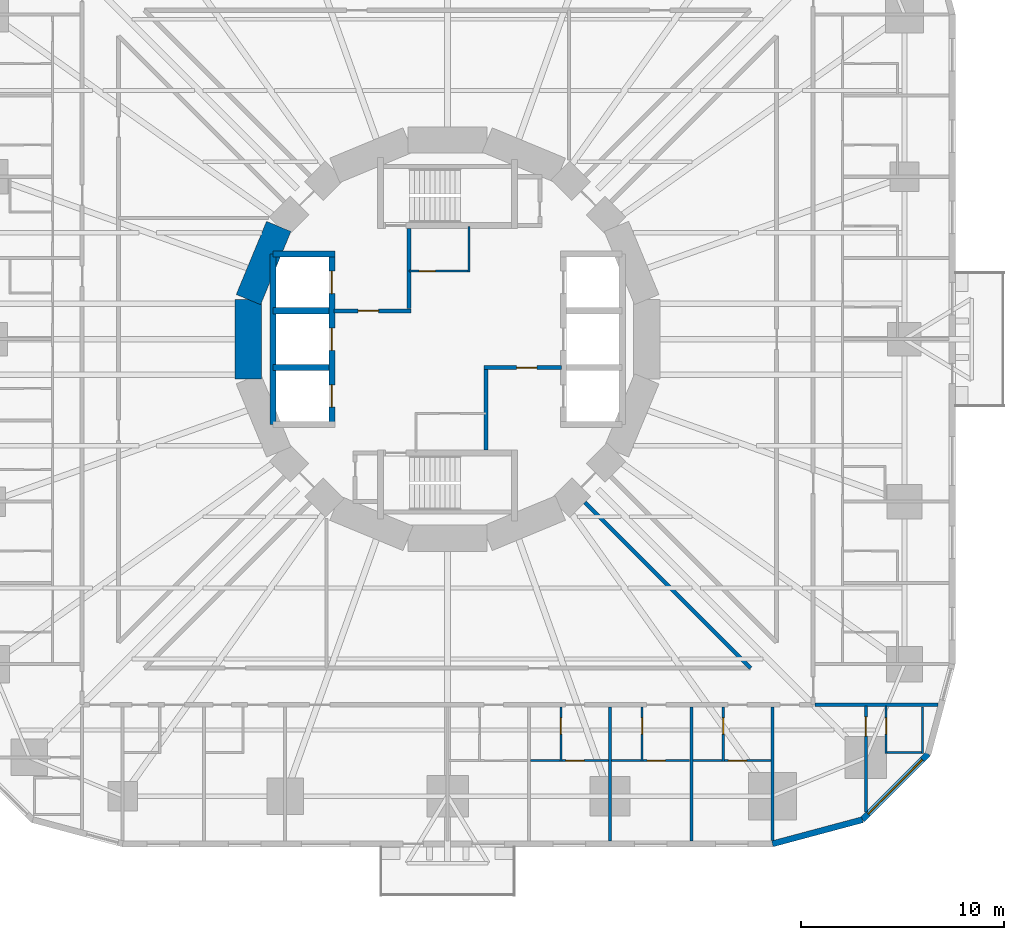
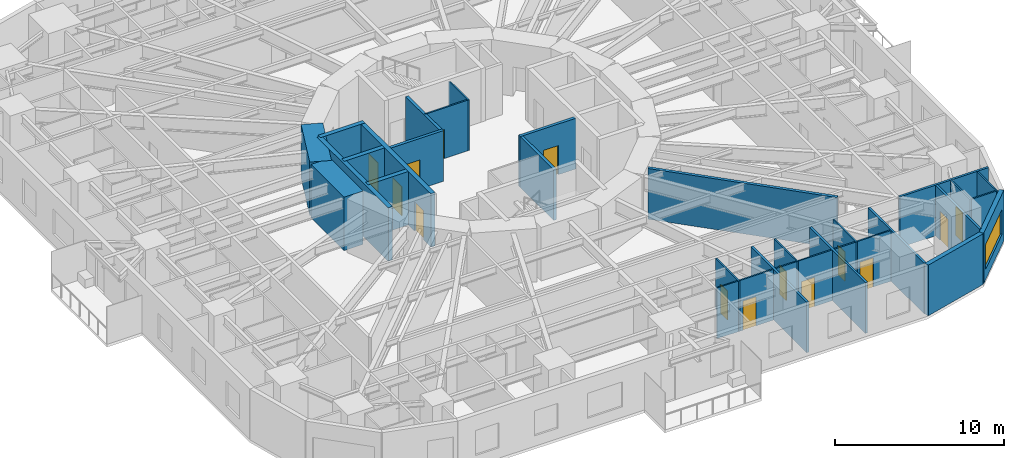
# One storey, part 7 of 14: 33 walls, 14 doors, 1 window, 15 openings.
"""IFC4 building model written with IfcOpenShell, lengths in metres."""

from ifc_helpers import new_model, si_unit, direction, frame, frame_2d, origin, place, context, subcontext, project, spatial, rectangle, extrude, material, layer, layer_set, type_object, element, fill, save


model = new_model("IFC4")

# Units and contexts
model_context = context("Model", 3, precision=1e-05, world=origin(), true_north=direction((0.0, 1.0)))
body_context = subcontext(model_context, "Body", "Model", "MODEL_VIEW")
ifc_project = project(units=[si_unit("LENGTHUNIT", "METRE"), si_unit("AREAUNIT", "SQUARE_METRE"), si_unit("VOLUMEUNIT", "CUBIC_METRE"), si_unit("PLANEANGLEUNIT", "RADIAN"), si_unit("MASSUNIT", "GRAM", prefix="KILO")], contexts=[model_context])

# Site, building, storey
site_placement = place(None, origin())
site = spatial("IfcSite", under=ifc_project, at=site_placement, CompositionType="ELEMENT")
building_placement = place(site_placement, origin())
building = spatial("IfcBuilding", under=site, at=building_placement, Name="Nakasero Lantern House", CompositionType="ELEMENT")
storey_placement = place(building_placement, frame((0.0, 0.0, 23.699951171875)))
storey = spatial("IfcBuildingStorey", under=building, at=storey_placement, Name="L05", CompositionType="ELEMENT", Elevation=23.699951171875)

# Wall, openings, doors
ifc_material_1 = material(Name="Concrete C50/60", Category="concrete")
ifc_layer_1 = layer(ifc_material_1, 0.300048828125)
ifc_layer_set_1 = layer_set([ifc_layer_1], Name="Core inner wall 300")
wall_type_1 = type_object("IfcWallType", Name="Core inner wall 300", PredefinedType="SHEAR", material=ifc_layer_set_1)
wall_1_placement = place(storey_placement, frame((-5.699951171875, -4.199951171875, 0.0), z_axis=(0.0, 0.0, 1.0), x_axis=(0.0, 1.0, 0.0)))
wall_1 = element("IfcWall", 1, at=wall_1_placement, inside=storey, type_object=wall_type_1, Name="Core inner wall L05 LW", PredefinedType="SHEAR", context=body_context, shape_type="SweptSolid", body=[
    extrude(rectangle(XDim=8.39990234375, YDim=0.300048828125, at=frame_2d((4.199951171875, 0.0))), origin(), (0.0, 0.0, 1.0), 3.85009765625),
])
opening_1_placement = place(wall_1_placement, frame((0.85009765625, 0.0, 0.0)))
opening_1 = element("IfcOpeningElement", 2, at=opening_1_placement, cuts=wall_1, Name="Opening LD", PredefinedType="OPENING", context=body_context, shape_type="SweptSolid", body=[
    extrude(rectangle(XDim=1.10009765625, YDim=2.10009765625, at=frame_2d((0.550048828125, 1.050048828125))), frame((0.0, 0.169921875, 0.0), z_axis=(0.0, -1.0, 0.0), x_axis=(1.0, 0.0, 0.0)), (0.0, 0.0, 1.0), 0.340087890625),
])
opening_2_placement = place(wall_1_placement, frame((3.64990234375, 0.0, 0.0)))
opening_2 = element("IfcOpeningElement", 3, at=opening_2_placement, cuts=wall_1, Name="Opening LD", PredefinedType="OPENING", context=body_context, shape_type="SweptSolid", body=[
    extrude(rectangle(XDim=1.10009765625, YDim=2.10009765625, at=frame_2d((0.550048828125, 1.050048828125))), frame((0.0, 0.169921875, 0.0), z_axis=(0.0, -1.0, 0.0), x_axis=(1.0, 0.0, 0.0)), (0.0, 0.0, 1.0), 0.340087890625),
])
opening_3_placement = place(wall_1_placement, frame((6.449951171875, 0.0, 0.0)))
opening_3 = element("IfcOpeningElement", 4, at=opening_3_placement, cuts=wall_1, Name="Opening LD", PredefinedType="OPENING", context=body_context, shape_type="SweptSolid", body=[
    extrude(rectangle(XDim=1.10009765625, YDim=2.10009765625, at=frame_2d((0.550048828125, 1.050048828125))), frame((0.0, 0.169921875, 0.0), z_axis=(0.0, -1.0, 0.0), x_axis=(1.0, 0.0, 0.0)), (0.0, 0.0, 1.0), 0.340087890625),
])
ifc_material_2 = material(Name="Steel S355", Category="steel")
door_type_1 = type_object("IfcDoorType", Name="Lift landing door E120 1100", OperationType="SLIDING_TO_LEFT", PredefinedType="DOOR", material=ifc_material_2)
door_1_placement = place(opening_1_placement, origin())
door_1 = element("IfcDoor", 5, at=door_1_placement, inside=storey, type_object=door_type_1, Name="Lift landing door LW1", OperationType="SLIDING_TO_LEFT", OverallHeight=2.10009765625, OverallWidth=1.10009765625, PredefinedType="DOOR", context=body_context, shape_type="SweptSolid", body=[
    extrude(rectangle(XDim=1.10009765625, YDim=2.10009765625, at=frame_2d((0.550048828125, 1.050048828125))), frame((0.0, 0.02490234375, 0.0), z_axis=(0.0, -1.0, 0.0), x_axis=(1.0, 0.0, 0.0)), (0.0, 0.0, 1.0), 0.050048828125),
])
fill(opening_1, door_1)
door_2_placement = place(opening_2_placement, origin())
door_2 = element("IfcDoor", 6, at=door_2_placement, inside=storey, type_object=door_type_1, Name="Lift landing door LW2", OperationType="SLIDING_TO_LEFT", OverallHeight=2.10009765625, OverallWidth=1.10009765625, PredefinedType="DOOR", context=body_context, shape_type="SweptSolid", body=[
    extrude(rectangle(XDim=1.10009765625, YDim=2.10009765625, at=frame_2d((0.550048828125, 1.050048828125))), frame((0.0, 0.02490234375, 0.0), z_axis=(0.0, -1.0, 0.0), x_axis=(1.0, 0.0, 0.0)), (0.0, 0.0, 1.0), 0.050048828125),
])
fill(opening_2, door_2)
door_3_placement = place(opening_3_placement, origin())
door_3 = element("IfcDoor", 7, at=door_3_placement, inside=storey, type_object=door_type_1, Name="Lift landing door LW3", OperationType="SLIDING_TO_LEFT", OverallHeight=2.10009765625, OverallWidth=1.10009765625, PredefinedType="DOOR", context=body_context, shape_type="SweptSolid", body=[
    extrude(rectangle(XDim=1.10009765625, YDim=2.10009765625, at=frame_2d((0.550048828125, 1.050048828125))), frame((0.0, 0.02490234375, 0.0), z_axis=(0.0, -1.0, 0.0), x_axis=(1.0, 0.0, 0.0)), (0.0, 0.0, 1.0), 0.050048828125),
])
fill(opening_3, door_3)

# Walls
wall_2_placement = place(storey_placement, frame((-8.60009765625, 4.199951171875, 0.0), z_axis=(0.0, 0.0, 1.0), x_axis=(1.0, 0.0, 0.0)))
element("IfcWall", 8, at=wall_2_placement, inside=storey, type_object=wall_type_1, Name="Core inner wall L05 LWN", PredefinedType="SHEAR", context=body_context, shape_type="SweptSolid", body=[
    extrude(rectangle(XDim=3.050048828125, YDim=0.300048828125, at=frame_2d((1.52490234375, 0.0))), origin(), (0.0, 0.0, 1.0), 3.85009765625),
])
wall_3_placement = place(storey_placement, frame((-8.60009765625, -4.199951171875, 0.0), z_axis=(0.0, 0.0, 1.0), x_axis=(0.0, 1.0, 0.0)))
element("IfcWall", 9, at=wall_3_placement, inside=storey, type_object=wall_type_1, Name="Core inner wall L05 LWB", PredefinedType="SHEAR", context=body_context, shape_type="SweptSolid", body=[
    extrude(rectangle(XDim=8.39990234375, YDim=0.300048828125, at=frame_2d((4.199951171875, 0.0))), origin(), (0.0, 0.0, 1.0), 3.85009765625),
])
for number, where, z_axis, x_axis, name in (
    (10, (-8.60009765625, -1.39990234375, 0.0), (0.0, 0.0, 1.0), (1.0, 0.0, 0.0), "Core inner wall L05 LW1"),
    (11, (-8.60009765625, 1.39990234375, 0.0), (0.0, 0.0, 1.0), (1.0, 0.0, 0.0), "Core inner wall L05 LW2"),
):
    element("IfcWall", number, at=place(storey_placement, frame(where, z_axis=z_axis, x_axis=x_axis)), inside=storey, type_object=wall_type_1, Name=name, PredefinedType="SHEAR", context=body_context, shape_type="SweptSolid", body=[
        extrude(rectangle(XDim=2.75, YDim=0.300048828125, at=frame_2d((1.375, 0.0))), origin(), (0.0, 0.0, 1.0), 3.85009765625),
    ])

# Wall, opening, door
ifc_material_3 = material(Name="Blockwork", Category="masonry")
ifc_layer_2 = layer(ifc_material_3, 0.10009765625)
ifc_layer_set_2 = layer_set([ifc_layer_2], Name="Core room wall 100")
wall_type_2 = type_object("IfcWallType", Name="Core room wall 100", PredefinedType="PARTITIONING", material=ifc_layer_set_2)
wall_4_placement = place(storey_placement, frame((-1.89990234375, 3.35009765625, 0.0), z_axis=(0.0, 0.0, 1.0), x_axis=(1.0, 0.0, 0.0)))
wall_4 = element("IfcWall", 12, at=wall_4_placement, inside=storey, type_object=wall_type_2, Name="Core room wall L05 CR-NES", PredefinedType="PARTITIONING", context=body_context, shape_type="SweptSolid", body=[
    extrude(rectangle(XDim=3.0, YDim=0.10009765625, at=frame_2d((1.5, 0.0))), origin(), (0.0, 0.0, 1.0), 3.650146484375),
])
opening_4_placement = place(wall_4_placement, frame((0.5, 0.0, 0.0)))
opening_4 = element("IfcOpeningElement", 13, at=opening_4_placement, cuts=wall_4, Name="Opening D15", PredefinedType="OPENING", context=body_context, shape_type="SweptSolid", body=[
    extrude(rectangle(XDim=0.800048828125, YDim=2.10009765625, at=frame_2d((0.39990234375, 1.050048828125))), frame((0.0, 0.070068359375, 0.0), z_axis=(0.0, -1.0, 0.0), x_axis=(1.0, 0.0, 0.0)), (0.0, 0.0, 1.0), 0.14013671875),
])
ifc_material_4 = material(Name="Timber C24", Category="wood")
door_type_2 = type_object("IfcDoorType", Name="Cleaner's store door FD30S 800", OperationType="SINGLE_SWING_LEFT", PredefinedType="DOOR", material=ifc_material_4)
door_4_placement = place(opening_4_placement, origin())
door_4 = element("IfcDoor", 14, at=door_4_placement, inside=storey, type_object=door_type_2, Name="Door L05 D-CR-NE", OperationType="SINGLE_SWING_LEFT", OverallHeight=2.10009765625, OverallWidth=0.800048828125, PredefinedType="DOOR", context=body_context, shape_type="SweptSolid", body=[
    extrude(rectangle(XDim=0.800048828125, YDim=2.10009765625, at=frame_2d((0.39990234375, 1.050048828125))), frame((0.0, 0.02490234375, 0.0), z_axis=(0.0, -1.0, 0.0), x_axis=(1.0, 0.0, 0.0)), (0.0, 0.0, 1.0), 0.050048828125),
])
fill(opening_4, door_4)

# Walls
wall_5_placement = place(storey_placement, frame((1.050048828125, 3.300048828125, 0.0), z_axis=(0.0, 0.0, 1.0), x_axis=(0.0, 1.0, 0.0)))
element("IfcWall", 15, at=wall_5_placement, inside=storey, type_object=wall_type_2, Name="Core room wall L05 CR-NEE", PredefinedType="PARTITIONING", context=body_context, shape_type="SweptSolid", body=[
    extrude(rectangle(XDim=2.25, YDim=0.10009765625, at=frame_2d((1.125, 0.0))), origin(), (0.0, 0.0, 1.0), 3.650146484375),
])
ifc_material_5 = material(Name="Concrete C50/60", Category="concrete")
ifc_layer_3 = layer(ifc_material_5, 1.300048828125)
ifc_layer_set_3 = layer_set([ifc_layer_3], Name="Core wall 1300")
wall_type_3 = type_object("IfcWallType", Name="Core wall 1300", PredefinedType="SHEAR", material=ifc_layer_set_3)
for number, where, z_axis, x_axis, name in (
    (16, (-8.314697265625, 5.5556640625, 0.0), (0.0, 0.0, 1.0), (-0.382690736062, -0.923876507187, 0.0), "Core wall L05 facet 7"),
    (17, (-9.807861328125, 1.950927734375, 0.0), (0.0, 0.0, 1.0), (0.0, -1.0, 0.0), "Core wall L05 facet 8"),
):
    element("IfcWall", number, at=place(storey_placement, frame(where, z_axis=z_axis, x_axis=x_axis)), inside=storey, type_object=wall_type_3, Name=name, PredefinedType="SHEAR", context=body_context, shape_type="SweptSolid", body=[
        extrude(rectangle(XDim=3.90185546875, YDim=1.300048828125, at=frame_2d((1.950927734375, 0.0))), origin(), (0.0, 0.0, 1.0), 3.85009765625),
    ])
ifc_material_6 = material(Name="Blockwork", Category="masonry")
ifc_layer_4 = layer(ifc_material_6, 0.199951171875)
ifc_layer_set_4 = layer_set([ifc_layer_4], Name="Corridor wall 200")
wall_type_4 = type_object("IfcWallType", Name="Corridor wall 200", PredefinedType="PARTITIONING", material=ifc_layer_set_4)
wall_6_placement = place(storey_placement, frame((6.758544921875, -8.03125, 0.0), z_axis=(0.0, 0.0, 1.0), x_axis=(0.707106781187, -0.707106781187, 0.0)))
element("IfcWall", 18, at=wall_6_placement, inside=storey, type_object=wall_type_4, Name="Corridor wall L05 PS14b", PredefinedType="PARTITIONING", context=body_context, shape_type="SweptSolid", body=[
    extrude(rectangle(XDim=11.55224609375, YDim=0.199951171875, at=frame_2d((5.776123046875, 0.0))), origin(), (0.0, 0.0, 1.0), 3.650146484375),
])

# Wall, opening, door
ifc_material_7 = material(Name="Blockwork", Category="masonry")
ifc_layer_5 = layer(ifc_material_7, 0.10009765625)
ifc_layer_set_5 = layer_set([ifc_layer_5], Name="En-suite wall 100")
wall_type_5 = type_object("IfcWallType", Name="En-suite wall 100", PredefinedType="PARTITIONING", material=ifc_layer_set_5)
wall_7_placement = place(storey_placement, frame((5.574951171875, -18.10009765625, 0.0), z_axis=(0.0, 0.0, 1.0), x_axis=(0.0, -1.0, 0.0)))
wall_7 = element("IfcWall", 19, at=wall_7_placement, inside=storey, type_object=wall_type_5, Name="En-suite wall L05 ES3-06", PredefinedType="PARTITIONING", context=body_context, shape_type="SweptSolid", body=[
    extrude(rectangle(XDim=2.699951171875, YDim=0.10009765625, at=frame_2d((1.35009765625, 0.0))), origin(), (0.0, 0.0, 1.0), 3.650146484375),
])
opening_5_placement = place(wall_7_placement, frame((0.550048828125, 0.0, 0.0)))
opening_5 = element("IfcOpeningElement", 20, at=opening_5_placement, cuts=wall_7, Name="Opening D02", PredefinedType="OPENING", context=body_context, shape_type="SweptSolid", body=[
    extrude(rectangle(XDim=0.800048828125, YDim=2.10009765625, at=frame_2d((0.39990234375, 1.050048828125))), frame((0.0, 0.070068359375, 0.0), z_axis=(0.0, -1.0, 0.0), x_axis=(1.0, 0.0, 0.0)), (0.0, 0.0, 1.0), 0.14013671875),
])
ifc_material_8 = material(Name="Timber C24", Category="wood")
door_type_3 = type_object("IfcDoorType", Name="En-suite door 800", OperationType="SINGLE_SWING_RIGHT", PredefinedType="DOOR", material=ifc_material_8)
door_5_placement = place(opening_5_placement, origin())
door_5 = element("IfcDoor", 21, at=door_5_placement, inside=storey, type_object=door_type_3, Name="Door L05 DE3-06", OperationType="SINGLE_SWING_LEFT", OverallHeight=2.10009765625, OverallWidth=0.800048828125, PredefinedType="DOOR", context=body_context, shape_type="SweptSolid", body=[
    extrude(rectangle(XDim=0.800048828125, YDim=2.10009765625, at=frame_2d((0.39990234375, 1.050048828125))), frame((0.0, 0.02490234375, 0.0), z_axis=(0.0, -1.0, 0.0), x_axis=(1.0, 0.0, 0.0)), (0.0, 0.0, 1.0), 0.050048828125),
])
fill(opening_5, door_5)

# Wall
wall_8_placement = place(storey_placement, frame((4.074951171875, -20.75, 0.0), z_axis=(0.0, 0.0, 1.0), x_axis=(1.0, 0.0, 0.0)))
element("IfcWall", 22, at=wall_8_placement, inside=storey, type_object=wall_type_5, Name="En-suite wall L05 EE3-06", PredefinedType="PARTITIONING", context=body_context, shape_type="SweptSolid", body=[
    extrude(rectangle(XDim=1.449951171875, YDim=0.10009765625, at=frame_2d((0.72509765625, 0.0))), origin(), (0.0, 0.0, 1.0), 3.650146484375),
])

# Wall, opening, door
wall_9_placement = place(storey_placement, frame((9.574951171875, -18.10009765625, 0.0), z_axis=(0.0, 0.0, 1.0), x_axis=(0.0, -1.0, 0.0)))
wall_9 = element("IfcWall", 23, at=wall_9_placement, inside=storey, type_object=wall_type_5, Name="En-suite wall L05 ES3-07", PredefinedType="PARTITIONING", context=body_context, shape_type="SweptSolid", body=[
    extrude(rectangle(XDim=2.699951171875, YDim=0.10009765625, at=frame_2d((1.35009765625, 0.0))), origin(), (0.0, 0.0, 1.0), 3.650146484375),
])
opening_6_placement = place(wall_9_placement, frame((0.550048828125, 0.0, 0.0)))
opening_6 = element("IfcOpeningElement", 24, at=opening_6_placement, cuts=wall_9, Name="Opening D02", PredefinedType="OPENING", context=body_context, shape_type="SweptSolid", body=[
    extrude(rectangle(XDim=0.800048828125, YDim=2.10009765625, at=frame_2d((0.39990234375, 1.050048828125))), frame((0.0, 0.070068359375, 0.0), z_axis=(0.0, -1.0, 0.0), x_axis=(1.0, 0.0, 0.0)), (0.0, 0.0, 1.0), 0.14013671875),
])
door_6_placement = place(opening_6_placement, origin())
door_6 = element("IfcDoor", 25, at=door_6_placement, inside=storey, type_object=door_type_3, Name="Door L05 DE3-07", OperationType="SINGLE_SWING_LEFT", OverallHeight=2.10009765625, OverallWidth=0.800048828125, PredefinedType="DOOR", context=body_context, shape_type="SweptSolid", body=[
    extrude(rectangle(XDim=0.800048828125, YDim=2.10009765625, at=frame_2d((0.39990234375, 1.050048828125))), frame((0.0, 0.02490234375, 0.0), z_axis=(0.0, -1.0, 0.0), x_axis=(1.0, 0.0, 0.0)), (0.0, 0.0, 1.0), 0.050048828125),
])
fill(opening_6, door_6)

# Wall
wall_10_placement = place(storey_placement, frame((8.074951171875, -20.75, 0.0), z_axis=(0.0, 0.0, 1.0), x_axis=(1.0, 0.0, 0.0)))
element("IfcWall", 26, at=wall_10_placement, inside=storey, type_object=wall_type_5, Name="En-suite wall L05 EE3-07", PredefinedType="PARTITIONING", context=body_context, shape_type="SweptSolid", body=[
    extrude(rectangle(XDim=1.449951171875, YDim=0.10009765625, at=frame_2d((0.72509765625, 0.0))), origin(), (0.0, 0.0, 1.0), 3.650146484375),
])

# Wall, opening, door
wall_11_placement = place(storey_placement, frame((13.574951171875, -18.10009765625, 0.0), z_axis=(0.0, 0.0, 1.0), x_axis=(0.0, -1.0, 0.0)))
wall_11 = element("IfcWall", 27, at=wall_11_placement, inside=storey, type_object=wall_type_5, Name="En-suite wall L05 ES3-08", PredefinedType="PARTITIONING", context=body_context, shape_type="SweptSolid", body=[
    extrude(rectangle(XDim=2.699951171875, YDim=0.10009765625, at=frame_2d((1.35009765625, 0.0))), origin(), (0.0, 0.0, 1.0), 3.650146484375),
])
opening_7_placement = place(wall_11_placement, frame((0.550048828125, 0.0, 0.0)))
opening_7 = element("IfcOpeningElement", 28, at=opening_7_placement, cuts=wall_11, Name="Opening D02", PredefinedType="OPENING", context=body_context, shape_type="SweptSolid", body=[
    extrude(rectangle(XDim=0.800048828125, YDim=2.10009765625, at=frame_2d((0.39990234375, 1.050048828125))), frame((0.0, 0.070068359375, 0.0), z_axis=(0.0, -1.0, 0.0), x_axis=(1.0, 0.0, 0.0)), (0.0, 0.0, 1.0), 0.14013671875),
])
door_7_placement = place(opening_7_placement, origin())
door_7 = element("IfcDoor", 29, at=door_7_placement, inside=storey, type_object=door_type_3, Name="Door L05 DE3-08", OperationType="SINGLE_SWING_LEFT", OverallHeight=2.10009765625, OverallWidth=0.800048828125, PredefinedType="DOOR", context=body_context, shape_type="SweptSolid", body=[
    extrude(rectangle(XDim=0.800048828125, YDim=2.10009765625, at=frame_2d((0.39990234375, 1.050048828125))), frame((0.0, 0.02490234375, 0.0), z_axis=(0.0, -1.0, 0.0), x_axis=(1.0, 0.0, 0.0)), (0.0, 0.0, 1.0), 0.050048828125),
])
fill(opening_7, door_7)

# Wall
wall_12_placement = place(storey_placement, frame((12.074951171875, -20.75, 0.0), z_axis=(0.0, 0.0, 1.0), x_axis=(1.0, 0.0, 0.0)))
element("IfcWall", 30, at=wall_12_placement, inside=storey, type_object=wall_type_5, Name="En-suite wall L05 EE3-08", PredefinedType="PARTITIONING", context=body_context, shape_type="SweptSolid", body=[
    extrude(rectangle(XDim=1.449951171875, YDim=0.10009765625, at=frame_2d((0.72509765625, 0.0))), origin(), (0.0, 0.0, 1.0), 3.650146484375),
])

# Wall, opening, door
wall_13_placement = place(storey_placement, frame((21.59619140625, -18.06494140625, 0.0), z_axis=(0.0, 0.0, 1.0), x_axis=(0.0, -1.0, 0.0)))
wall_13 = element("IfcWall", 31, at=wall_13_placement, inside=storey, type_object=wall_type_5, Name="En-suite wall L05 ES3-09", PredefinedType="PARTITIONING", context=body_context, shape_type="SweptSolid", body=[
    extrude(rectangle(XDim=2.3349609375, YDim=0.10009765625, at=frame_2d((1.16748046875, 0.0))), origin(), (0.0, 0.0, 1.0), 3.650146484375),
])
opening_8_placement = place(wall_13_placement, frame((0.5849609375, 0.0, 0.0)))
opening_8 = element("IfcOpeningElement", 32, at=opening_8_placement, cuts=wall_13, Name="Opening D02", PredefinedType="OPENING", context=body_context, shape_type="SweptSolid", body=[
    extrude(rectangle(XDim=0.800048828125, YDim=2.10009765625, at=frame_2d((0.39990234375, 1.050048828125))), frame((0.0, 0.070068359375, 0.0), z_axis=(0.0, -1.0, 0.0), x_axis=(1.0, 0.0, 0.0)), (0.0, 0.0, 1.0), 0.14013671875),
])
door_8_placement = place(opening_8_placement, origin())
door_8 = element("IfcDoor", 33, at=door_8_placement, inside=storey, type_object=door_type_3, Name="Door L05 DE3-09", OperationType="SINGLE_SWING_LEFT", OverallHeight=2.10009765625, OverallWidth=0.800048828125, PredefinedType="DOOR", context=body_context, shape_type="SweptSolid", body=[
    extrude(rectangle(XDim=0.800048828125, YDim=2.10009765625, at=frame_2d((0.39990234375, 1.050048828125))), frame((0.0, 0.02490234375, 0.0), z_axis=(0.0, -1.0, 0.0), x_axis=(1.0, 0.0, 0.0)), (0.0, 0.0, 1.0), 0.050048828125),
])
fill(opening_8, door_8)

# Walls
wall_14_placement = place(storey_placement, frame((21.646240234375, -20.35009765625, 0.0), z_axis=(0.0, 0.0, 1.0), x_axis=(1.0, 0.0, 0.0)))
element("IfcWall", 34, at=wall_14_placement, inside=storey, type_object=wall_type_5, Name="En-suite wall L05 EE3-09", PredefinedType="PARTITIONING", context=body_context, shape_type="SweptSolid", body=[
    extrude(rectangle(XDim=1.699951171875, YDim=0.10009765625, at=frame_2d((0.85009765625, 0.0))), origin(), (0.0, 0.0, 1.0), 3.650146484375),
])
wall_15_placement = place(storey_placement, frame((23.396240234375, -18.10009765625, 0.0), z_axis=(0.0, 0.0, 1.0), x_axis=(0.0, -1.0, 0.0)))
element("IfcWall", 35, at=wall_15_placement, inside=storey, type_object=wall_type_5, Name="En-suite wall L05 EV3-09", PredefinedType="PARTITIONING", context=body_context, shape_type="SweptSolid", body=[
    extrude(rectangle(XDim=2.2998046875, YDim=0.10009765625, at=frame_2d((1.14990234375, 0.0))), origin(), (0.0, 0.0, 1.0), 3.650146484375),
])

# Wall, opening, door
wall_16_placement = place(storey_placement, frame((5.625, -20.75, 0.0), z_axis=(0.0, 0.0, 1.0), x_axis=(1.0, 0.0, 0.0)))
wall_16 = element("IfcWall", 36, at=wall_16_placement, inside=storey, type_object=wall_type_5, Name="En-suite wall L05 EL3-06", PredefinedType="PARTITIONING", context=body_context, shape_type="SweptSolid", body=[
    extrude(rectangle(XDim=2.300048828125, YDim=0.10009765625, at=frame_2d((1.14990234375, 0.0))), origin(), (0.0, 0.0, 1.0), 3.650146484375),
])
opening_9_placement = place(wall_16_placement, frame((0.199951171875, 0.0, 0.0)))
opening_9 = element("IfcOpeningElement", 37, at=opening_9_placement, cuts=wall_16, Name="Opening D17", PredefinedType="OPENING", context=body_context, shape_type="SweptSolid", body=[
    extrude(rectangle(XDim=0.89990234375, YDim=2.10009765625, at=frame_2d((0.449951171875, 1.050048828125))), frame((0.0, 0.070068359375, 0.0), z_axis=(0.0, -1.0, 0.0), x_axis=(1.0, 0.0, 0.0)), (0.0, 0.0, 1.0), 0.14013671875),
])
ifc_material_9 = material(Name="Timber C24", Category="wood")
door_type_4 = type_object("IfcDoorType", Name="Bedroom door FD30S 900", OperationType="SINGLE_SWING_LEFT", PredefinedType="DOOR", material=ifc_material_9)
door_9_placement = place(opening_9_placement, origin())
door_9 = element("IfcDoor", 38, at=door_9_placement, inside=storey, type_object=door_type_4, Name="Door L05 DL3-06", OperationType="SINGLE_SWING_LEFT", OverallHeight=2.10009765625, OverallWidth=0.89990234375, PredefinedType="DOOR", context=body_context, shape_type="SweptSolid", body=[
    extrude(rectangle(XDim=0.89990234375, YDim=2.10009765625, at=frame_2d((0.449951171875, 1.050048828125))), frame((0.0, 0.02490234375, 0.0), z_axis=(0.0, -1.0, 0.0), x_axis=(1.0, 0.0, 0.0)), (0.0, 0.0, 1.0), 0.050048828125),
])
fill(opening_9, door_9)

wall_17_placement = place(storey_placement, frame((9.625, -20.75, 0.0), z_axis=(0.0, 0.0, 1.0), x_axis=(1.0, 0.0, 0.0)))
wall_17 = element("IfcWall", 39, at=wall_17_placement, inside=storey, type_object=wall_type_5, Name="En-suite wall L05 EL3-07", PredefinedType="PARTITIONING", context=body_context, shape_type="SweptSolid", body=[
    extrude(rectangle(XDim=2.300048828125, YDim=0.10009765625, at=frame_2d((1.14990234375, 0.0))), origin(), (0.0, 0.0, 1.0), 3.650146484375),
])
opening_10_placement = place(wall_17_placement, frame((0.199951171875, 0.0, 0.0)))
opening_10 = element("IfcOpeningElement", 40, at=opening_10_placement, cuts=wall_17, Name="Opening D17", PredefinedType="OPENING", context=body_context, shape_type="SweptSolid", body=[
    extrude(rectangle(XDim=0.89990234375, YDim=2.10009765625, at=frame_2d((0.449951171875, 1.050048828125))), frame((0.0, 0.070068359375, 0.0), z_axis=(0.0, -1.0, 0.0), x_axis=(1.0, 0.0, 0.0)), (0.0, 0.0, 1.0), 0.14013671875),
])
door_10_placement = place(opening_10_placement, origin())
door_10 = element("IfcDoor", 41, at=door_10_placement, inside=storey, type_object=door_type_4, Name="Door L05 DL3-07", OperationType="SINGLE_SWING_LEFT", OverallHeight=2.10009765625, OverallWidth=0.89990234375, PredefinedType="DOOR", context=body_context, shape_type="SweptSolid", body=[
    extrude(rectangle(XDim=0.89990234375, YDim=2.10009765625, at=frame_2d((0.449951171875, 1.050048828125))), frame((0.0, 0.02490234375, 0.0), z_axis=(0.0, -1.0, 0.0), x_axis=(1.0, 0.0, 0.0)), (0.0, 0.0, 1.0), 0.050048828125),
])
fill(opening_10, door_10)

wall_18_placement = place(storey_placement, frame((13.625, -20.75, 0.0), z_axis=(0.0, 0.0, 1.0), x_axis=(1.0, 0.0, 0.0)))
wall_18 = element("IfcWall", 42, at=wall_18_placement, inside=storey, type_object=wall_type_5, Name="En-suite wall L05 EL3-08", PredefinedType="PARTITIONING", context=body_context, shape_type="SweptSolid", body=[
    extrude(rectangle(XDim=2.300048828125, YDim=0.10009765625, at=frame_2d((1.14990234375, 0.0))), origin(), (0.0, 0.0, 1.0), 3.650146484375),
])
opening_11_placement = place(wall_18_placement, frame((0.199951171875, 0.0, 0.0)))
opening_11 = element("IfcOpeningElement", 43, at=opening_11_placement, cuts=wall_18, Name="Opening D17", PredefinedType="OPENING", context=body_context, shape_type="SweptSolid", body=[
    extrude(rectangle(XDim=0.89990234375, YDim=2.10009765625, at=frame_2d((0.449951171875, 1.050048828125))), frame((0.0, 0.070068359375, 0.0), z_axis=(0.0, -1.0, 0.0), x_axis=(1.0, 0.0, 0.0)), (0.0, 0.0, 1.0), 0.14013671875),
])
door_11_placement = place(opening_11_placement, origin())
door_11 = element("IfcDoor", 44, at=door_11_placement, inside=storey, type_object=door_type_4, Name="Door L05 DL3-08", OperationType="SINGLE_SWING_LEFT", OverallHeight=2.10009765625, OverallWidth=0.89990234375, PredefinedType="DOOR", context=body_context, shape_type="SweptSolid", body=[
    extrude(rectangle(XDim=0.89990234375, YDim=2.10009765625, at=frame_2d((0.449951171875, 1.050048828125))), frame((0.0, 0.02490234375, 0.0), z_axis=(0.0, -1.0, 0.0), x_axis=(1.0, 0.0, 0.0)), (0.0, 0.0, 1.0), 0.050048828125),
])
fill(opening_11, door_11)

# Wall
ifc_material_10 = material(Name="Aluminium rainscreen on blockwork", Category="masonry")
ifc_layer_6 = layer(ifc_material_10, 0.300048828125)
ifc_layer_set_6 = layer_set([ifc_layer_6], Name="Facade wall 300")
wall_type_6 = type_object("IfcWallType", Name="Facade wall 300", PredefinedType="SOLIDWALL", material=ifc_layer_set_6)
wall_19_placement = place(storey_placement, frame((16.0, -24.85009765625, 0.0), z_axis=(0.0, 0.0, 1.0), x_axis=(0.965920218567, 0.258839972501, 0.0)))
element("IfcWall", 45, at=wall_19_placement, inside=storey, type_object=wall_type_6, Name="Facade wall L05 FW3C1", PredefinedType="SOLIDWALL", context=body_context, shape_type="SweptSolid", body=[
    extrude(rectangle(XDim=4.5810546875, YDim=0.300048828125, at=frame_2d((2.29052734375, 0.0))), origin(), (0.0, 0.0, 1.0), 3.650146484375),
])

# Wall, opening, window
wall_20_placement = place(storey_placement, frame((20.425048828125, -23.664306640625, 0.0), z_axis=(0.0, 0.0, 1.0), x_axis=(0.707106781187, 0.707106781187, 0.0)))
wall_20 = element("IfcWall", 46, at=wall_20_placement, inside=storey, type_object=wall_type_6, Name="Facade wall L05 FW3C2", PredefinedType="SOLIDWALL", context=body_context, shape_type="SweptSolid", body=[
    extrude(rectangle(XDim=4.5810546875, YDim=0.300048828125, at=frame_2d((2.29052734375, 0.0))), origin(), (0.0, 0.0, 1.0), 3.650146484375),
])
opening_12_placement = place(wall_20_placement, frame((0.39990234375, 0.0, 0.75)))
opening_12 = element("IfcOpeningElement", 47, at=opening_12_placement, cuts=wall_20, Name="Opening W237", PredefinedType="OPENING", context=body_context, shape_type="SweptSolid", body=[
    extrude(rectangle(XDim=3.781005859375, YDim=1.800048828125, at=frame_2d((1.890625, 0.89990234375))), frame((0.0, 0.169921875, 0.0), z_axis=(0.0, -1.0, 0.0), x_axis=(1.0, 0.0, 0.0)), (0.0, 0.0, 1.0), 0.340087890625),
])
ifc_material_11 = material(Name="Aluminium 6063-T6 and glass", Category="aluminium")
window_type = type_object("IfcWindowType", Name="Corner window 3781x1800", PartitioningType="SINGLE_PANEL", PredefinedType="WINDOW", material=ifc_material_11)
window_placement = place(opening_12_placement, origin())
window = element("IfcWindow", 48, at=window_placement, inside=storey, type_object=window_type, Name="Window L05 WC3", OverallHeight=1.800048828125, OverallWidth=3.781005859375, PartitioningType="SINGLE_PANEL", PredefinedType="WINDOW", context=body_context, shape_type="SweptSolid", body=[
    extrude(rectangle(XDim=3.781005859375, YDim=1.800048828125, at=frame_2d((1.890625, 0.89990234375))), frame((0.0, 0.030029296875, 0.0), z_axis=(0.0, -1.0, 0.0), x_axis=(1.0, 0.0, 0.0)), (0.0, 0.0, 1.0), 0.06005859375),
])
fill(opening_12, window)

# Wall, opening, door
ifc_material_12 = material(Name="Blockwork", Category="masonry")
ifc_layer_7 = layer(ifc_material_12, 0.199951171875)
ifc_layer_set_7 = layer_set([ifc_layer_7], Name="Fire lobby wall 200")
wall_type_7 = type_object("IfcWallType", Name="Fire lobby wall 200", PredefinedType="PARTITIONING", material=ifc_layer_set_7)
wall_21_placement = place(storey_placement, frame((-5.60009765625, 1.39990234375, 0.0), z_axis=(0.0, 0.0, 1.0), x_axis=(1.0, 0.0, 0.0)))
wall_21 = element("IfcWall", 49, at=wall_21_placement, inside=storey, type_object=wall_type_7, Name="Fire lobby wall L05 W-FL1S", PredefinedType="PARTITIONING", context=body_context, shape_type="SweptSolid", body=[
    extrude(rectangle(XDim=3.800048828125, YDim=0.199951171875, at=frame_2d((1.89990234375, 0.0))), origin(), (0.0, 0.0, 1.0), 3.650146484375),
])
opening_13_placement = place(wall_21_placement, frame((1.199951171875, 0.0, 0.0)))
opening_13 = element("IfcOpeningElement", 50, at=opening_13_placement, cuts=wall_21, Name="Opening D05", PredefinedType="OPENING", context=body_context, shape_type="SweptSolid", body=[
    extrude(rectangle(XDim=1.0, YDim=2.10009765625, at=frame_2d((0.5, 1.050048828125))), frame((0.0, 0.119873046875, 0.0), z_axis=(0.0, -1.0, 0.0), x_axis=(1.0, 0.0, 0.0)), (0.0, 0.0, 1.0), 0.239990234375),
])
ifc_material_13 = material(Name="Timber C24", Category="wood")
door_type_5 = type_object("IfcDoorType", Name="Core door FD60S 1000", OperationType="SINGLE_SWING_LEFT", PredefinedType="DOOR", material=ifc_material_13)
door_12_placement = place(opening_13_placement, origin())
door_12 = element("IfcDoor", 51, at=door_12_placement, inside=storey, type_object=door_type_5, Name="Door L05 D-FL1", OperationType="SINGLE_SWING_LEFT", OverallHeight=2.10009765625, OverallWidth=1.0, PredefinedType="DOOR", context=body_context, shape_type="SweptSolid", body=[
    extrude(rectangle(XDim=1.0, YDim=2.10009765625, at=frame_2d((0.5, 1.050048828125))), frame((0.0, 0.02490234375, 0.0), z_axis=(0.0, -1.0, 0.0), x_axis=(1.0, 0.0, 0.0)), (0.0, 0.0, 1.0), 0.050048828125),
])
fill(opening_13, door_12)

# Wall
wall_22_placement = place(storey_placement, frame((-1.89990234375, 1.5, 0.0), z_axis=(0.0, 0.0, 1.0), x_axis=(0.0, 1.0, 0.0)))
element("IfcWall", 52, at=wall_22_placement, inside=storey, type_object=wall_type_7, Name="Fire lobby wall L05 W-FL1E", PredefinedType="PARTITIONING", context=body_context, shape_type="SweptSolid", body=[
    extrude(rectangle(XDim=3.949951171875, YDim=0.199951171875, at=frame_2d((1.97509765625, 0.0))), origin(), (0.0, 0.0, 1.0), 3.650146484375),
])

# Wall, opening, door
wall_23_placement = place(storey_placement, frame((5.60009765625, -1.39990234375, 0.0), z_axis=(0.0, 0.0, 1.0), x_axis=(-1.0, 0.0, 0.0)))
wall_23 = element("IfcWall", 53, at=wall_23_placement, inside=storey, type_object=wall_type_7, Name="Fire lobby wall L05 W-FL2N", PredefinedType="PARTITIONING", context=body_context, shape_type="SweptSolid", body=[
    extrude(rectangle(XDim=3.800048828125, YDim=0.199951171875, at=frame_2d((1.89990234375, 0.0))), origin(), (0.0, 0.0, 1.0), 3.650146484375),
])
opening_14_placement = place(wall_23_placement, frame((1.199951171875, 0.0, 0.0)))
opening_14 = element("IfcOpeningElement", 54, at=opening_14_placement, cuts=wall_23, Name="Opening D05", PredefinedType="OPENING", context=body_context, shape_type="SweptSolid", body=[
    extrude(rectangle(XDim=1.0, YDim=2.10009765625, at=frame_2d((0.5, 1.050048828125))), frame((0.0, 0.119873046875, 0.0), z_axis=(0.0, -1.0, 0.0), x_axis=(1.0, 0.0, 0.0)), (0.0, 0.0, 1.0), 0.239990234375),
])
door_13_placement = place(opening_14_placement, origin())
door_13 = element("IfcDoor", 55, at=door_13_placement, inside=storey, type_object=door_type_5, Name="Door L05 D-FL2", OperationType="SINGLE_SWING_LEFT", OverallHeight=2.10009765625, OverallWidth=1.0, PredefinedType="DOOR", context=body_context, shape_type="SweptSolid", body=[
    extrude(rectangle(XDim=1.0, YDim=2.10009765625, at=frame_2d((0.5, 1.050048828125))), frame((0.0, 0.02490234375, 0.0), z_axis=(0.0, -1.0, 0.0), x_axis=(1.0, 0.0, 0.0)), (0.0, 0.0, 1.0), 0.050048828125),
])
fill(opening_14, door_13)

# Walls
wall_24_placement = place(storey_placement, frame((1.89990234375, -1.5, 0.0), z_axis=(0.0, 0.0, 1.0), x_axis=(0.0, -1.0, 0.0)))
element("IfcWall", 56, at=wall_24_placement, inside=storey, type_object=wall_type_7, Name="Fire lobby wall L05 W-FL2W", PredefinedType="PARTITIONING", context=body_context, shape_type="SweptSolid", body=[
    extrude(rectangle(XDim=3.949951171875, YDim=0.199951171875, at=frame_2d((1.97509765625, 0.0))), origin(), (0.0, 0.0, 1.0), 3.650146484375),
])
ifc_material_14 = material(Name="Blockwork", Category="masonry")
ifc_layer_8 = layer(ifc_material_14, 0.14990234375)
ifc_layer_set_8 = layer_set([ifc_layer_8], Name="Party wall 150")
wall_type_8 = type_object("IfcWallType", Name="Party wall 150", PredefinedType="PARTITIONING", material=ifc_layer_set_8)
wall_25_placement = place(storey_placement, frame((18.10009765625, -18.0, 0.0), z_axis=(0.0, 0.0, 1.0), x_axis=(1.0, 0.0, 0.0)))
element("IfcWall", 57, at=wall_25_placement, inside=storey, type_object=wall_type_8, Name="Party wall L05 PW0-00", PredefinedType="PARTITIONING", context=body_context, shape_type="SweptSolid", body=[
    extrude(rectangle(XDim=6.053466796875, YDim=0.14990234375, at=frame_2d((3.02685546875, 0.0))), origin(), (0.0, 0.0, 1.0), 3.650146484375),
])
for number, where, z_axis, x_axis, name in (
    (58, (8.0, -18.10009765625, 0.0), (0.0, 0.0, 1.0), (0.0, -1.0, 0.0), "Party wall L05 PW3-07"),
    (59, (12.0, -18.10009765625, 0.0), (0.0, 0.0, 1.0), (0.0, -1.0, 0.0), "Party wall L05 PW3-08"),
):
    element("IfcWall", number, at=place(storey_placement, frame(where, z_axis=z_axis, x_axis=x_axis)), inside=storey, type_object=wall_type_8, Name=name, PredefinedType="PARTITIONING", context=body_context, shape_type="SweptSolid", body=[
        extrude(rectangle(XDim=6.599853515625, YDim=0.14990234375, at=frame_2d((3.2998046875, 0.0))), origin(), (0.0, 0.0, 1.0), 3.650146484375),
    ])
wall_26_placement = place(storey_placement, frame((16.0, -18.10009765625, 0.0), z_axis=(0.0, 0.0, 1.0), x_axis=(0.0, -1.0, 0.0)))
element("IfcWall", 60, at=wall_26_placement, inside=storey, type_object=wall_type_8, Name="Party wall L05 PW3-09", PredefinedType="PARTITIONING", context=body_context, shape_type="SweptSolid", body=[
    extrude(rectangle(XDim=6.58935546875, YDim=0.14990234375, at=frame_2d((3.294677734375, 0.0))), origin(), (0.0, 0.0, 1.0), 3.650146484375),
])

# Wall, opening, door
wall_27_placement = place(storey_placement, frame((20.59619140625, -18.06494140625, 0.0), z_axis=(0.0, 0.0, 1.0), x_axis=(0.0, -1.0, 0.0)))
wall_27 = element("IfcWall", 61, at=wall_27_placement, inside=storey, type_object=wall_type_8, Name="Party wall L05 PC3", PredefinedType="PARTITIONING", context=body_context, shape_type="SweptSolid", body=[
    extrude(rectangle(XDim=5.208740234375, YDim=0.14990234375, at=frame_2d((2.6044921875, 0.0))), origin(), (0.0, 0.0, 1.0), 3.650146484375),
])
opening_15_placement = place(wall_27_placement, frame((0.534912109375, 0.0, 0.0)))
opening_15 = element("IfcOpeningElement", 62, at=opening_15_placement, cuts=wall_27, Name="Opening D01", PredefinedType="OPENING", context=body_context, shape_type="SweptSolid", body=[
    extrude(rectangle(XDim=0.949951171875, YDim=2.10009765625, at=frame_2d((0.47509765625, 1.050048828125))), frame((0.0, 0.094970703125, 0.0), z_axis=(0.0, -1.0, 0.0), x_axis=(1.0, 0.0, 0.0)), (0.0, 0.0, 1.0), 0.18994140625),
])
ifc_material_15 = material(Name="Timber C24", Category="wood")
door_type_6 = type_object("IfcDoorType", Name="Bedroom door FD30S 950", OperationType="SINGLE_SWING_LEFT", PredefinedType="DOOR", material=ifc_material_15)
door_14_placement = place(opening_15_placement, origin())
door_14 = element("IfcDoor", 63, at=door_14_placement, inside=storey, type_object=door_type_6, Name="Door L05 DC3", OperationType="SINGLE_SWING_LEFT", OverallHeight=2.10009765625, OverallWidth=0.949951171875, PredefinedType="DOOR", context=body_context, shape_type="SweptSolid", body=[
    extrude(rectangle(XDim=0.949951171875, YDim=2.10009765625, at=frame_2d((0.47509765625, 1.050048828125))), frame((0.0, 0.02490234375, 0.0), z_axis=(0.0, -1.0, 0.0), x_axis=(1.0, 0.0, 0.0)), (0.0, 0.0, 1.0), 0.050048828125),
])
fill(opening_15, door_14)

save(model, "model.ifc")
